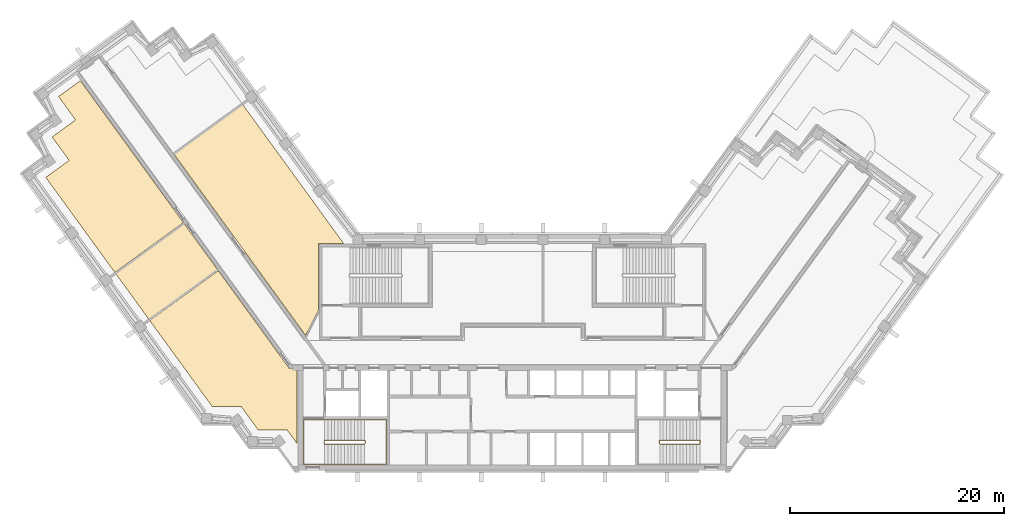
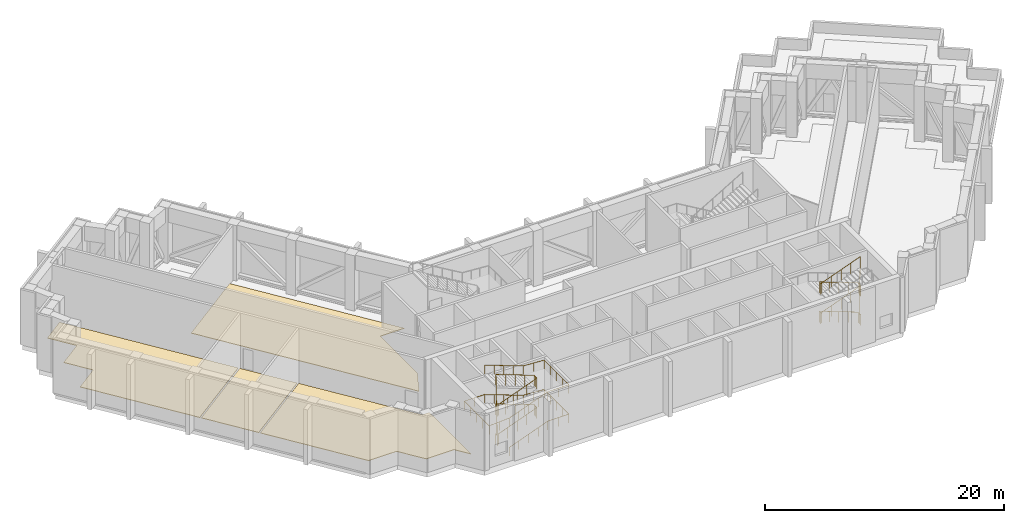
# One storey, part 14 of 16: 4 coverings, 3 railings.
"""IFC4 building model written with IfcOpenShell, lengths in metres."""

from ifc_helpers import new_model, si_unit, direction, frame, origin, origin_2d, place, context, subcontext, project, spatial, polyline, circle, outline, extrude, material, layer, layer_set, type_object, element, save


model = new_model("IFC4")

# Units and contexts
model_context = context("Model", 3, precision=1e-05, world=origin(), true_north=direction((0.0, 1.0)))
body_context = subcontext(model_context, "Body", "Model", "MODEL_VIEW")
ifc_project = project(units=[si_unit("LENGTHUNIT", "METRE"), si_unit("AREAUNIT", "SQUARE_METRE"), si_unit("VOLUMEUNIT", "CUBIC_METRE"), si_unit("PLANEANGLEUNIT", "RADIAN"), si_unit("MASSUNIT", "GRAM", prefix="KILO")], contexts=[model_context])

# Site, building, storey
site_placement = place(None, origin())
site = spatial("IfcSite", under=ifc_project, at=site_placement, CompositionType="ELEMENT")
building_placement = place(site_placement, origin())
building = spatial("IfcBuilding", under=site, at=building_placement, Name="Quipu Civic Tower", CompositionType="ELEMENT")
storey_placement = place(building_placement, frame((0.0, 0.0, 188.0)))
storey = spatial("IfcBuildingStorey", under=building, at=storey_placement, Name="L44", CompositionType="ELEMENT", Elevation=188.0)

# Coverings
ifc_material_1 = material(Name="Sealed cement screed")
ifc_layer = layer(ifc_material_1, 0.050048828125)
ifc_layer_set = layer_set([ifc_layer], Name="Sealed cement screed")
covering_type = type_object("IfcCoveringType", Name="Sealed screed floor finish 50", PredefinedType="FLOORING", material=ifc_layer_set)
covering_1_placement = place(storey_placement, origin())
element("IfcCovering", 1, at=covering_1_placement, inside=storey, type_object=covering_type, Name="Sealed screed floor finish 50", PredefinedType="FLOORING", context=body_context, shape_type="SweptSolid", body=[
    extrude(outline(polyline([(-31.544921875, 18.47802734375), (-25.14599609375, 23.1259765625), (-15.73193359375, 10.169921875), (-18.070068359375, 10.1689453125), (-18.070068359375, 3.94189453125), (-19.27197265625, 1.583984375), (-31.544921875, 18.47802734375)])), origin(), (0.0, 0.0, 1.0), 0.050048828125),
])
covering_2_placement = place(storey_placement, origin())
element("IfcCovering", 2, at=covering_2_placement, inside=storey, type_object=covering_type, Name="Sealed screed floor finish 50", PredefinedType="FLOORING", context=body_context, shape_type="SweptSolid", body=[
    extrude(outline(polyline([(-36.989013671875, 7.341064453125), (-30.590087890625, 11.989990234375), (-27.4990234375, 7.73388671875), (-33.89794921875, 3.0859375), (-36.989013671875, 7.341064453125)])), origin(), (0.0, 0.0, 1.0), 0.050048828125),
])
covering_3_placement = place(storey_placement, origin())
element("IfcCovering", 3, at=covering_3_placement, inside=storey, type_object=covering_type, Name="Sealed screed floor finish 50", PredefinedType="FLOORING", context=body_context, shape_type="SweptSolid", body=[
    extrude(outline(polyline([(-33.81494140625, 2.972900390625), (-27.416015625, 7.62109375), (-20.77490234375, -1.51904296875), (-20.070068359375, -1.52001953125), (-20.070068359375, -8.514892578125), (-20.991943359375, -7.24609375), (-23.69189453125, -7.24609375), (-25.279052734375, -5.06103515625), (-27.97900390625, -5.06103515625), (-33.81494140625, 2.972900390625)])), origin(), (0.0, 0.0, 1.0), 0.050048828125),
])
covering_4_placement = place(storey_placement, origin())
element("IfcCovering", 4, at=covering_4_placement, inside=storey, type_object=covering_type, Name="Sealed screed floor finish 50", PredefinedType="FLOORING", context=body_context, shape_type="SweptSolid", body=[
    extrude(outline(polyline([(-43.51708984375, 16.324951171875), (-41.3330078125, 17.910888671875), (-42.9189453125, 20.095947265625), (-40.736083984375, 21.681884765625), (-42.322021484375, 23.867919921875), (-40.291015625, 25.343017578125), (-30.673095703125, 12.10302734375), (-37.072021484375, 7.4541015625), (-43.51708984375, 16.324951171875)])), origin(), (0.0, 0.0, 1.0), 0.050048828125),
])

# Railings
ifc_material_2 = material(Name="Stainless steel", Category="steel")
railing_type_1 = type_object("IfcRailingType", Name="Stair guard 1100", PredefinedType="GUARDRAIL", material=ifc_material_2)
railing_1_placement = place(storey_placement, frame((-17.5, -8.550048828125, 0.115478515625)))
element("IfcRailing", 5, at=railing_1_placement, inside=storey, type_object=railing_type_1, Name="Stair 1 guard", PredefinedType="GUARDRAIL", context=body_context, shape_type="SweptSolid", body=[
    extrude(circle(Radius=0.02392578125, at=origin_2d()), frame((0.0, 0.0, 1.076171875), z_axis=(0.937193329374, 0.0, 0.348810354458), x_axis=(0.0, 1.0, 0.0)), (0.0, 0.0, 1.0), 3.96923828125),
    extrude(circle(Radius=0.02392578125, at=origin_2d()), frame((3.719970703125, 0.0, 2.46044921875), z_axis=(0.707106781187, 0.707106781187, 0.0), x_axis=(-0.707106781187, 0.707106781187, 0.0)), (0.0, 0.0, 1.0), 0.07080078125),
    extrude(circle(Radius=0.02392578125, at=origin_2d()), frame((3.77001953125, 0.050048828125, 2.46044921875), z_axis=(0.0, 1.0, 0.0), x_axis=(-1.0, 0.0, 0.0)), (0.0, 0.0, 1.0), 0.25),
    extrude(circle(Radius=0.02392578125, at=origin_2d()), frame((3.77001953125, 0.300048828125, 2.46044921875), z_axis=(-0.3695169537, 0.3695169537, 0.852592776099), x_axis=(-0.707106781187, -0.707106781187, 0.0)), (0.0, 0.0, 1.0), 0.135498046875),
    extrude(circle(Radius=0.02392578125, at=origin_2d()), frame((3.719970703125, 0.35009765625, 2.576171875), z_axis=(-0.937193329374, 0.0, 0.348810354458), x_axis=(0.0, -1.0, 0.0)), (0.0, 0.0, 1.0), 3.96923828125),
    extrude(circle(Radius=0.02392578125, at=origin_2d()), frame((0.0, 0.35009765625, 3.96044921875), z_axis=(-0.164529134168, -0.986372223864, 0.0), x_axis=(0.986372223864, -0.164529134168, 0.0)), (0.0, 0.0, 1.0), 0.30419921875),
    extrude(circle(Radius=0.02392578125, at=origin_2d()), frame((-0.050048828125, 0.050048828125, 3.96044921875), z_axis=(0.0, 1.0, 0.0), x_axis=(-1.0, 0.0, 0.0)), (0.0, 0.0, 1.0), 0.25),
    extrude(circle(Radius=0.02392578125, at=origin_2d()), frame((-0.050048828125, 0.300048828125, 3.96044921875), z_axis=(0.153818488509, -0.922160596963, 0.354908024706), x_axis=(0.986372223864, 0.164529134168, 0.0)), (0.0, 0.0, 1.0), 0.325439453125),
    extrude(circle(Radius=0.02392578125, at=origin_2d()), frame((0.0, 0.0, 4.076171875), z_axis=(0.937193329374, 0.0, 0.348810354458), x_axis=(0.0, 1.0, 0.0)), (0.0, 0.0, 1.0), 3.96923828125),
    extrude(circle(Radius=0.02392578125, at=origin_2d()), frame((3.719970703125, 0.0, 5.46044921875), z_axis=(0.707106781187, 0.707106781187, 0.0), x_axis=(-0.707106781187, 0.707106781187, 0.0)), (0.0, 0.0, 1.0), 0.07080078125),
    extrude(circle(Radius=0.02392578125, at=origin_2d()), frame((3.77001953125, 0.050048828125, 5.46044921875), z_axis=(0.0, 1.0, 0.0), x_axis=(-1.0, 0.0, 0.0)), (0.0, 0.0, 1.0), 0.25),
    extrude(circle(Radius=0.02392578125, at=origin_2d()), frame((3.77001953125, 0.300048828125, 5.46044921875), z_axis=(-0.3695169537, 0.3695169537, 0.852592776099), x_axis=(-0.707106781187, -0.707106781187, 0.0)), (0.0, 0.0, 1.0), 0.135498046875),
    extrude(circle(Radius=0.02392578125, at=origin_2d()), frame((3.719970703125, 0.35009765625, 5.576171875), z_axis=(-0.937193329374, 0.0, 0.348810354458), x_axis=(0.0, -1.0, 0.0)), (0.0, 0.0, 1.0), 3.96923828125),
    extrude(circle(Radius=0.02392578125, at=origin_2d()), frame((0.0, 0.35009765625, 6.96044921875), z_axis=(-0.008330771543, -0.049943991347, -0.998717275296), x_axis=(0.986372223864, -0.164529134168, 0.0)), (0.0, 0.0, 1.0), 6.0078125),
    extrude(circle(Radius=0.02392578125, at=origin_2d()), frame((-0.050048828125, 0.050048828125, 0.96044921875), z_axis=(0.0, 1.0, 0.0), x_axis=(-1.0, 0.0, 0.0)), (0.0, 0.0, 1.0), 0.25),
    extrude(circle(Radius=0.02099609375, at=origin_2d()), origin(), (0.0, 0.0, 1.0), 1.052001953125),
    extrude(circle(Radius=0.02099609375, at=origin_2d()), frame((0.929931640625, 0.0, 0.34619140625)), (0.0, 0.0, 1.0), 1.052001953125),
    extrude(circle(Radius=0.02099609375, at=origin_2d()), frame((1.85986328125, 0.0, 0.6923828125)), (0.0, 0.0, 1.0), 1.052001953125),
    extrude(circle(Radius=0.02099609375, at=origin_2d()), frame((2.7900390625, 0.0, 1.038330078125)), (0.0, 0.0, 1.0), 1.052001953125),
    extrude(circle(Radius=0.02099609375, at=origin_2d()), frame((3.719970703125, 0.0, 1.384521484375)), (0.0, 0.0, 1.0), 1.052001953125),
    extrude(circle(Radius=0.02099609375, at=origin_2d()), frame((3.77001953125, 0.050048828125, 1.384521484375)), (0.0, 0.0, 1.0), 1.052001953125),
    extrude(circle(Radius=0.02099609375, at=origin_2d()), frame((3.77001953125, 0.300048828125, 1.384521484375)), (0.0, 0.0, 1.0), 1.052001953125),
    extrude(circle(Radius=0.02099609375, at=origin_2d()), frame((3.719970703125, 0.35009765625, 1.5)), (0.0, 0.0, 1.0), 1.052001953125),
    extrude(circle(Radius=0.02099609375, at=origin_2d()), frame((2.7900390625, 0.35009765625, 1.84619140625)), (0.0, 0.0, 1.0), 1.052001953125),
    extrude(circle(Radius=0.02099609375, at=origin_2d()), frame((1.85986328125, 0.35009765625, 2.1923828125)), (0.0, 0.0, 1.0), 1.052001953125),
    extrude(circle(Radius=0.02099609375, at=origin_2d()), frame((0.929931640625, 0.35009765625, 2.538330078125)), (0.0, 0.0, 1.0), 1.052001953125),
    extrude(circle(Radius=0.02099609375, at=origin_2d()), frame((0.0, 0.35009765625, 2.884521484375)), (0.0, 0.0, 1.0), 1.052001953125),
    extrude(circle(Radius=0.02099609375, at=origin_2d()), frame((-0.050048828125, 0.050048828125, 2.884521484375)), (0.0, 0.0, 1.0), 1.052001953125),
    extrude(circle(Radius=0.02099609375, at=origin_2d()), frame((-0.050048828125, 0.300048828125, 2.884521484375)), (0.0, 0.0, 1.0), 1.052001953125),
    extrude(circle(Radius=0.02099609375, at=origin_2d()), frame((0.0, 0.0, 3.0)), (0.0, 0.0, 1.0), 1.052001953125),
    extrude(circle(Radius=0.02099609375, at=origin_2d()), frame((0.929931640625, 0.0, 3.34619140625)), (0.0, 0.0, 1.0), 1.052001953125),
    extrude(circle(Radius=0.02099609375, at=origin_2d()), frame((1.85986328125, 0.0, 3.6923828125)), (0.0, 0.0, 1.0), 1.052001953125),
    extrude(circle(Radius=0.02099609375, at=origin_2d()), frame((2.7900390625, 0.0, 4.038330078125)), (0.0, 0.0, 1.0), 1.052001953125),
    extrude(circle(Radius=0.02099609375, at=origin_2d()), frame((3.719970703125, 0.0, 4.384521484375)), (0.0, 0.0, 1.0), 1.052001953125),
    extrude(circle(Radius=0.02099609375, at=origin_2d()), frame((3.77001953125, 0.050048828125, 4.384521484375)), (0.0, 0.0, 1.0), 1.052001953125),
    extrude(circle(Radius=0.02099609375, at=origin_2d()), frame((3.77001953125, 0.300048828125, 4.384521484375)), (0.0, 0.0, 1.0), 1.052001953125),
    extrude(circle(Radius=0.02099609375, at=origin_2d()), frame((3.719970703125, 0.35009765625, 4.5)), (0.0, 0.0, 1.0), 1.052001953125),
    extrude(circle(Radius=0.02099609375, at=origin_2d()), frame((2.7900390625, 0.35009765625, 4.84619140625)), (0.0, 0.0, 1.0), 1.052001953125),
    extrude(circle(Radius=0.02099609375, at=origin_2d()), frame((1.85986328125, 0.35009765625, 5.1923828125)), (0.0, 0.0, 1.0), 1.052001953125),
    extrude(circle(Radius=0.02099609375, at=origin_2d()), frame((0.929931640625, 0.35009765625, 5.538330078125)), (0.0, 0.0, 1.0), 1.052001953125),
    extrude(circle(Radius=0.02099609375, at=origin_2d()), frame((0.0, 0.35009765625, 5.884521484375)), (0.0, 0.0, 1.0), 1.052001953125),
    extrude(circle(Radius=0.02099609375, at=origin_2d()), frame((-0.00830078125, 0.300048828125, 4.884521484375)), (0.0, 0.0, 1.0), 1.052001953125),
    extrude(circle(Radius=0.02099609375, at=origin_2d()), frame((-0.0166015625, 0.25, 3.884521484375)), (0.0, 0.0, 1.0), 1.052001953125),
    extrude(circle(Radius=0.02099609375, at=origin_2d()), frame((-0.02490234375, 0.2001953125, 2.884521484375)), (0.0, 0.0, 1.0), 1.052001953125),
    extrude(circle(Radius=0.02099609375, at=origin_2d()), frame((-0.033447265625, 0.150146484375, 1.884521484375)), (0.0, 0.0, 1.0), 1.052001953125),
    extrude(circle(Radius=0.02099609375, at=origin_2d()), frame((-0.041748046875, 0.10009765625, 0.884521484375)), (0.0, 0.0, 1.0), 1.052001953125),
    extrude(circle(Radius=0.02099609375, at=origin_2d()), frame((-0.050048828125, 0.050048828125, -0.115478515625)), (0.0, 0.0, 1.0), 1.052001953125),
    extrude(circle(Radius=0.02099609375, at=origin_2d()), frame((-0.050048828125, 0.300048828125, -0.115478515625)), (0.0, 0.0, 1.0), 1.052001953125),
])
railing_2_placement = place(storey_placement, frame((17.5, -8.199951171875, 0.115478515625)))
element("IfcRailing", 6, at=railing_2_placement, inside=storey, type_object=railing_type_1, Name="Stair 2 guard", PredefinedType="GUARDRAIL", context=body_context, shape_type="SweptSolid", body=[
    extrude(circle(Radius=0.02392578125, at=origin_2d()), frame((0.0, 0.0, 1.076171875), z_axis=(-0.937193329374, 0.0, 0.348810354458), x_axis=(0.0, -1.0, 0.0)), (0.0, 0.0, 1.0), 3.96923828125),
    extrude(circle(Radius=0.02392578125, at=origin_2d()), frame((-3.719970703125, 0.0, 2.46044921875), z_axis=(-0.707106781187, -0.707106781187, 0.0), x_axis=(0.707106781187, -0.707106781187, 0.0)), (0.0, 0.0, 1.0), 0.07080078125),
    extrude(circle(Radius=0.02392578125, at=origin_2d()), frame((-3.77001953125, -0.050048828125, 2.46044921875), z_axis=(0.0, -1.0, 0.0), x_axis=(1.0, 0.0, 0.0)), (0.0, 0.0, 1.0), 0.25),
    extrude(circle(Radius=0.02392578125, at=origin_2d()), frame((-3.77001953125, -0.300048828125, 2.46044921875), z_axis=(0.3695169537, -0.3695169537, 0.852592776099), x_axis=(0.707106781187, 0.707106781187, 0.0)), (0.0, 0.0, 1.0), 0.135498046875),
    extrude(circle(Radius=0.02392578125, at=origin_2d()), frame((-3.719970703125, -0.35009765625, 2.576171875), z_axis=(0.937193329374, 0.0, 0.348810354458), x_axis=(0.0, 1.0, 0.0)), (0.0, 0.0, 1.0), 3.96923828125),
    extrude(circle(Radius=0.02392578125, at=origin_2d()), frame((0.0, -0.35009765625, 3.96044921875), z_axis=(0.164529134168, 0.986372223864, 0.0), x_axis=(-0.986372223864, 0.164529134168, 0.0)), (0.0, 0.0, 1.0), 0.30419921875),
    extrude(circle(Radius=0.02392578125, at=origin_2d()), frame((0.050048828125, -0.050048828125, 3.96044921875), z_axis=(0.0, -1.0, 0.0), x_axis=(1.0, 0.0, 0.0)), (0.0, 0.0, 1.0), 0.25),
    extrude(circle(Radius=0.02392578125, at=origin_2d()), frame((0.050048828125, -0.300048828125, 3.96044921875), z_axis=(-0.153818488509, 0.922160596963, 0.354908024706), x_axis=(-0.986372223864, -0.164529134168, 0.0)), (0.0, 0.0, 1.0), 0.325439453125),
    extrude(circle(Radius=0.02392578125, at=origin_2d()), frame((0.0, 0.0, 4.076171875), z_axis=(-0.937193329374, 0.0, 0.348810354458), x_axis=(0.0, -1.0, 0.0)), (0.0, 0.0, 1.0), 3.96923828125),
    extrude(circle(Radius=0.02392578125, at=origin_2d()), frame((-3.719970703125, 0.0, 5.46044921875), z_axis=(-0.707106781187, -0.707106781187, 0.0), x_axis=(0.707106781187, -0.707106781187, 0.0)), (0.0, 0.0, 1.0), 0.07080078125),
    extrude(circle(Radius=0.02392578125, at=origin_2d()), frame((-3.77001953125, -0.050048828125, 5.46044921875), z_axis=(0.0, -1.0, 0.0), x_axis=(1.0, 0.0, 0.0)), (0.0, 0.0, 1.0), 0.25),
    extrude(circle(Radius=0.02392578125, at=origin_2d()), frame((-3.77001953125, -0.300048828125, 5.46044921875), z_axis=(0.3695169537, -0.3695169537, 0.852592776099), x_axis=(0.707106781187, 0.707106781187, 0.0)), (0.0, 0.0, 1.0), 0.135498046875),
    extrude(circle(Radius=0.02392578125, at=origin_2d()), frame((-3.719970703125, -0.35009765625, 5.576171875), z_axis=(0.937193329374, 0.0, 0.348810354458), x_axis=(0.0, 1.0, 0.0)), (0.0, 0.0, 1.0), 3.96923828125),
    extrude(circle(Radius=0.02392578125, at=origin_2d()), frame((0.0, -0.35009765625, 6.96044921875), z_axis=(0.008330771543, 0.049943991347, -0.998717275296), x_axis=(-0.986372223864, 0.164529134168, 0.0)), (0.0, 0.0, 1.0), 6.0078125),
    extrude(circle(Radius=0.02392578125, at=origin_2d()), frame((0.050048828125, -0.050048828125, 0.96044921875), z_axis=(0.0, -1.0, 0.0), x_axis=(1.0, 0.0, 0.0)), (0.0, 0.0, 1.0), 0.25),
    extrude(circle(Radius=0.02099609375, at=origin_2d()), origin(), (0.0, 0.0, 1.0), 1.052001953125),
    extrude(circle(Radius=0.02099609375, at=origin_2d()), frame((-0.929931640625, 0.0, 0.34619140625)), (0.0, 0.0, 1.0), 1.052001953125),
    extrude(circle(Radius=0.02099609375, at=origin_2d()), frame((-1.85986328125, 0.0, 0.6923828125)), (0.0, 0.0, 1.0), 1.052001953125),
    extrude(circle(Radius=0.02099609375, at=origin_2d()), frame((-2.7900390625, 0.0, 1.038330078125)), (0.0, 0.0, 1.0), 1.052001953125),
    extrude(circle(Radius=0.02099609375, at=origin_2d()), frame((-3.719970703125, 0.0, 1.384521484375)), (0.0, 0.0, 1.0), 1.052001953125),
    extrude(circle(Radius=0.02099609375, at=origin_2d()), frame((-3.77001953125, -0.050048828125, 1.384521484375)), (0.0, 0.0, 1.0), 1.052001953125),
    extrude(circle(Radius=0.02099609375, at=origin_2d()), frame((-3.77001953125, -0.300048828125, 1.384521484375)), (0.0, 0.0, 1.0), 1.052001953125),
    extrude(circle(Radius=0.02099609375, at=origin_2d()), frame((-3.719970703125, -0.35009765625, 1.5)), (0.0, 0.0, 1.0), 1.052001953125),
    extrude(circle(Radius=0.02099609375, at=origin_2d()), frame((-2.7900390625, -0.35009765625, 1.84619140625)), (0.0, 0.0, 1.0), 1.052001953125),
    extrude(circle(Radius=0.02099609375, at=origin_2d()), frame((-1.85986328125, -0.35009765625, 2.1923828125)), (0.0, 0.0, 1.0), 1.052001953125),
    extrude(circle(Radius=0.02099609375, at=origin_2d()), frame((-0.929931640625, -0.35009765625, 2.538330078125)), (0.0, 0.0, 1.0), 1.052001953125),
    extrude(circle(Radius=0.02099609375, at=origin_2d()), frame((0.0, -0.35009765625, 2.884521484375)), (0.0, 0.0, 1.0), 1.052001953125),
    extrude(circle(Radius=0.02099609375, at=origin_2d()), frame((0.050048828125, -0.050048828125, 2.884521484375)), (0.0, 0.0, 1.0), 1.052001953125),
    extrude(circle(Radius=0.02099609375, at=origin_2d()), frame((0.050048828125, -0.300048828125, 2.884521484375)), (0.0, 0.0, 1.0), 1.052001953125),
    extrude(circle(Radius=0.02099609375, at=origin_2d()), frame((0.0, 0.0, 3.0)), (0.0, 0.0, 1.0), 1.052001953125),
    extrude(circle(Radius=0.02099609375, at=origin_2d()), frame((-0.929931640625, 0.0, 3.34619140625)), (0.0, 0.0, 1.0), 1.052001953125),
    extrude(circle(Radius=0.02099609375, at=origin_2d()), frame((-1.85986328125, 0.0, 3.6923828125)), (0.0, 0.0, 1.0), 1.052001953125),
    extrude(circle(Radius=0.02099609375, at=origin_2d()), frame((-2.7900390625, 0.0, 4.038330078125)), (0.0, 0.0, 1.0), 1.052001953125),
    extrude(circle(Radius=0.02099609375, at=origin_2d()), frame((-3.719970703125, 0.0, 4.384521484375)), (0.0, 0.0, 1.0), 1.052001953125),
    extrude(circle(Radius=0.02099609375, at=origin_2d()), frame((-3.77001953125, -0.050048828125, 4.384521484375)), (0.0, 0.0, 1.0), 1.052001953125),
    extrude(circle(Radius=0.02099609375, at=origin_2d()), frame((-3.77001953125, -0.300048828125, 4.384521484375)), (0.0, 0.0, 1.0), 1.052001953125),
    extrude(circle(Radius=0.02099609375, at=origin_2d()), frame((-3.719970703125, -0.35009765625, 4.5)), (0.0, 0.0, 1.0), 1.052001953125),
    extrude(circle(Radius=0.02099609375, at=origin_2d()), frame((-2.7900390625, -0.35009765625, 4.84619140625)), (0.0, 0.0, 1.0), 1.052001953125),
    extrude(circle(Radius=0.02099609375, at=origin_2d()), frame((-1.85986328125, -0.35009765625, 5.1923828125)), (0.0, 0.0, 1.0), 1.052001953125),
    extrude(circle(Radius=0.02099609375, at=origin_2d()), frame((-0.929931640625, -0.35009765625, 5.538330078125)), (0.0, 0.0, 1.0), 1.052001953125),
    extrude(circle(Radius=0.02099609375, at=origin_2d()), frame((0.0, -0.35009765625, 5.884521484375)), (0.0, 0.0, 1.0), 1.052001953125),
    extrude(circle(Radius=0.02099609375, at=origin_2d()), frame((0.00830078125, -0.300048828125, 4.884521484375)), (0.0, 0.0, 1.0), 1.052001953125),
    extrude(circle(Radius=0.02099609375, at=origin_2d()), frame((0.0166015625, -0.25, 3.884521484375)), (0.0, 0.0, 1.0), 1.052001953125),
    extrude(circle(Radius=0.02099609375, at=origin_2d()), frame((0.02490234375, -0.2001953125, 2.884521484375)), (0.0, 0.0, 1.0), 1.052001953125),
    extrude(circle(Radius=0.02099609375, at=origin_2d()), frame((0.033447265625, -0.150146484375, 1.884521484375)), (0.0, 0.0, 1.0), 1.052001953125),
    extrude(circle(Radius=0.02099609375, at=origin_2d()), frame((0.041748046875, -0.10009765625, 0.884521484375)), (0.0, 0.0, 1.0), 1.052001953125),
    extrude(circle(Radius=0.02099609375, at=origin_2d()), frame((0.050048828125, -0.050048828125, -0.115478515625)), (0.0, 0.0, 1.0), 1.052001953125),
    extrude(circle(Radius=0.02099609375, at=origin_2d()), frame((0.050048828125, -0.300048828125, -0.115478515625)), (0.0, 0.0, 1.0), 1.052001953125),
])
ifc_material_3 = material(Name="Stainless steel", Category="steel")
railing_type_2 = type_object("IfcRailingType", Name="Stair handrail", PredefinedType="HANDRAIL", material=ifc_material_3)
railing_3_placement = place(storey_placement, frame((-17.5, -10.449951171875, 0.115478515625)))
element("IfcRailing", 7, at=railing_3_placement, inside=storey, type_object=railing_type_2, Name="Stair 1 handrail", PredefinedType="HANDRAIL", context=body_context, shape_type="SweptSolid", body=[
    extrude(circle(Radius=0.02392578125, at=origin_2d()), frame((0.0, 0.0, 0.8759765625), z_axis=(0.937193329374, 0.0, 0.348810354458), x_axis=(0.0, 1.0, 0.0)), (0.0, 0.0, 1.0), 3.96923828125),
    extrude(circle(Radius=0.02392578125, at=origin_2d()), frame((3.719970703125, 0.0, 2.26025390625), z_axis=(1.0, 0.0, 0.0), x_axis=(0.0, 1.0, 0.0)), (0.0, 0.0, 1.0), 2.030029296875),
    extrude(circle(Radius=0.02392578125, at=origin_2d()), frame((5.75, 0.0, 2.26025390625), z_axis=(0.0, 1.0, 0.0), x_axis=(-1.0, 0.0, 0.0)), (0.0, 0.0, 1.0), 4.14990234375),
    extrude(circle(Radius=0.02392578125, at=origin_2d()), frame((5.75, 4.14990234375, 2.26025390625), z_axis=(-0.99838595614, 0.0, 0.056793332201), x_axis=(0.0, -1.0, 0.0)), (0.0, 0.0, 1.0), 2.033203125),
    extrude(circle(Radius=0.02392578125, at=origin_2d()), frame((3.719970703125, 4.14990234375, 2.3759765625), z_axis=(-0.937193329374, 0.0, 0.348810354458), x_axis=(0.0, -1.0, 0.0)), (0.0, 0.0, 1.0), 3.96923828125),
    extrude(circle(Radius=0.02392578125, at=origin_2d()), frame((0.0, 4.14990234375, 3.76025390625), z_axis=(-1.0, 0.0, 0.0), x_axis=(0.0, -1.0, 0.0)), (0.0, 0.0, 1.0), 1.949951171875),
    extrude(circle(Radius=0.02392578125, at=origin_2d()), frame((-1.949951171875, 4.14990234375, 3.76025390625), z_axis=(0.0, -1.0, 0.0), x_axis=(1.0, 0.0, 0.0)), (0.0, 0.0, 1.0), 4.14990234375),
    extrude(circle(Radius=0.02392578125, at=origin_2d()), frame((-1.949951171875, 0.0, 3.76025390625), z_axis=(0.998251021802, 0.0, 0.059117657858), x_axis=(0.0, 1.0, 0.0)), (0.0, 0.0, 1.0), 1.953369140625),
    extrude(circle(Radius=0.02392578125, at=origin_2d()), frame((0.0, 0.0, 3.8759765625), z_axis=(0.937193329374, 0.0, 0.348810354458), x_axis=(0.0, 1.0, 0.0)), (0.0, 0.0, 1.0), 3.96923828125),
    extrude(circle(Radius=0.02392578125, at=origin_2d()), frame((3.719970703125, 0.0, 5.26025390625), z_axis=(1.0, 0.0, 0.0), x_axis=(0.0, 1.0, 0.0)), (0.0, 0.0, 1.0), 2.030029296875),
    extrude(circle(Radius=0.02392578125, at=origin_2d()), frame((5.75, 0.0, 5.26025390625), z_axis=(0.0, 1.0, 0.0), x_axis=(-1.0, 0.0, 0.0)), (0.0, 0.0, 1.0), 4.14990234375),
    extrude(circle(Radius=0.02392578125, at=origin_2d()), frame((5.75, 4.14990234375, 5.26025390625), z_axis=(-0.99838595614, 0.0, 0.056793332201), x_axis=(0.0, -1.0, 0.0)), (0.0, 0.0, 1.0), 2.033203125),
    extrude(circle(Radius=0.02392578125, at=origin_2d()), frame((3.719970703125, 4.14990234375, 5.3759765625), z_axis=(-0.937193329374, 0.0, 0.348810354458), x_axis=(0.0, -1.0, 0.0)), (0.0, 0.0, 1.0), 3.96923828125),
    extrude(circle(Radius=0.02099609375, at=origin_2d()), origin(), (0.0, 0.0, 1.0), 0.851806640625),
    extrude(circle(Radius=0.02099609375, at=origin_2d()), frame((0.929931640625, 0.0, 0.34619140625)), (0.0, 0.0, 1.0), 0.851806640625),
    extrude(circle(Radius=0.02099609375, at=origin_2d()), frame((1.85986328125, 0.0, 0.6923828125)), (0.0, 0.0, 1.0), 0.851806640625),
    extrude(circle(Radius=0.02099609375, at=origin_2d()), frame((2.7900390625, 0.0, 1.038330078125)), (0.0, 0.0, 1.0), 0.851806640625),
    extrude(circle(Radius=0.02099609375, at=origin_2d()), frame((3.719970703125, 0.0, 1.384521484375)), (0.0, 0.0, 1.0), 0.851806640625),
    extrude(circle(Radius=0.02099609375, at=origin_2d()), frame((4.73486328125, 0.0, 1.384521484375)), (0.0, 0.0, 1.0), 0.851806640625),
    extrude(circle(Radius=0.02099609375, at=origin_2d()), frame((5.75, 0.0, 1.384521484375)), (0.0, 0.0, 1.0), 0.851806640625),
    extrude(circle(Radius=0.02099609375, at=origin_2d()), frame((5.75, 1.03759765625, 1.384521484375)), (0.0, 0.0, 1.0), 0.851806640625),
    extrude(circle(Radius=0.02099609375, at=origin_2d()), frame((5.75, 2.074951171875, 1.384521484375)), (0.0, 0.0, 1.0), 0.851806640625),
    extrude(circle(Radius=0.02099609375, at=origin_2d()), frame((5.75, 3.1123046875, 1.384521484375)), (0.0, 0.0, 1.0), 0.851806640625),
    extrude(circle(Radius=0.02099609375, at=origin_2d()), frame((5.75, 4.14990234375, 1.384521484375)), (0.0, 0.0, 1.0), 0.851806640625),
    extrude(circle(Radius=0.02099609375, at=origin_2d()), frame((4.73486328125, 4.14990234375, 1.4423828125)), (0.0, 0.0, 1.0), 0.851806640625),
    extrude(circle(Radius=0.02099609375, at=origin_2d()), frame((3.719970703125, 4.14990234375, 1.5)), (0.0, 0.0, 1.0), 0.851806640625),
    extrude(circle(Radius=0.02099609375, at=origin_2d()), frame((2.7900390625, 4.14990234375, 1.84619140625)), (0.0, 0.0, 1.0), 0.851806640625),
    extrude(circle(Radius=0.02099609375, at=origin_2d()), frame((1.85986328125, 4.14990234375, 2.1923828125)), (0.0, 0.0, 1.0), 0.851806640625),
    extrude(circle(Radius=0.02099609375, at=origin_2d()), frame((0.929931640625, 4.14990234375, 2.538330078125)), (0.0, 0.0, 1.0), 0.851806640625),
    extrude(circle(Radius=0.02099609375, at=origin_2d()), frame((0.0, 4.14990234375, 2.884521484375)), (0.0, 0.0, 1.0), 0.851806640625),
    extrude(circle(Radius=0.02099609375, at=origin_2d()), frame((-0.97509765625, 4.14990234375, 2.884521484375)), (0.0, 0.0, 1.0), 0.851806640625),
    extrude(circle(Radius=0.02099609375, at=origin_2d()), frame((-1.949951171875, 4.14990234375, 2.884521484375)), (0.0, 0.0, 1.0), 0.851806640625),
    extrude(circle(Radius=0.02099609375, at=origin_2d()), frame((-1.949951171875, 3.1123046875, 2.884521484375)), (0.0, 0.0, 1.0), 0.851806640625),
    extrude(circle(Radius=0.02099609375, at=origin_2d()), frame((-1.949951171875, 2.074951171875, 2.884521484375)), (0.0, 0.0, 1.0), 0.851806640625),
    extrude(circle(Radius=0.02099609375, at=origin_2d()), frame((-1.949951171875, 1.03759765625, 2.884521484375)), (0.0, 0.0, 1.0), 0.851806640625),
    extrude(circle(Radius=0.02099609375, at=origin_2d()), frame((-1.949951171875, 0.0, 2.884521484375)), (0.0, 0.0, 1.0), 0.851806640625),
    extrude(circle(Radius=0.02099609375, at=origin_2d()), frame((-0.97509765625, 0.0, 2.9423828125)), (0.0, 0.0, 1.0), 0.851806640625),
    extrude(circle(Radius=0.02099609375, at=origin_2d()), frame((0.0, 0.0, 3.0)), (0.0, 0.0, 1.0), 0.851806640625),
    extrude(circle(Radius=0.02099609375, at=origin_2d()), frame((0.929931640625, 0.0, 3.34619140625)), (0.0, 0.0, 1.0), 0.851806640625),
    extrude(circle(Radius=0.02099609375, at=origin_2d()), frame((1.85986328125, 0.0, 3.6923828125)), (0.0, 0.0, 1.0), 0.851806640625),
    extrude(circle(Radius=0.02099609375, at=origin_2d()), frame((2.7900390625, 0.0, 4.038330078125)), (0.0, 0.0, 1.0), 0.851806640625),
    extrude(circle(Radius=0.02099609375, at=origin_2d()), frame((3.719970703125, 0.0, 4.384521484375)), (0.0, 0.0, 1.0), 0.851806640625),
    extrude(circle(Radius=0.02099609375, at=origin_2d()), frame((4.73486328125, 0.0, 4.384521484375)), (0.0, 0.0, 1.0), 0.851806640625),
    extrude(circle(Radius=0.02099609375, at=origin_2d()), frame((5.75, 0.0, 4.384521484375)), (0.0, 0.0, 1.0), 0.851806640625),
    extrude(circle(Radius=0.02099609375, at=origin_2d()), frame((5.75, 1.03759765625, 4.384521484375)), (0.0, 0.0, 1.0), 0.851806640625),
    extrude(circle(Radius=0.02099609375, at=origin_2d()), frame((5.75, 2.074951171875, 4.384521484375)), (0.0, 0.0, 1.0), 0.851806640625),
    extrude(circle(Radius=0.02099609375, at=origin_2d()), frame((5.75, 3.1123046875, 4.384521484375)), (0.0, 0.0, 1.0), 0.851806640625),
    extrude(circle(Radius=0.02099609375, at=origin_2d()), frame((5.75, 4.14990234375, 4.384521484375)), (0.0, 0.0, 1.0), 0.851806640625),
    extrude(circle(Radius=0.02099609375, at=origin_2d()), frame((4.73486328125, 4.14990234375, 4.4423828125)), (0.0, 0.0, 1.0), 0.851806640625),
    extrude(circle(Radius=0.02099609375, at=origin_2d()), frame((3.719970703125, 4.14990234375, 4.5)), (0.0, 0.0, 1.0), 0.851806640625),
    extrude(circle(Radius=0.02099609375, at=origin_2d()), frame((2.7900390625, 4.14990234375, 4.84619140625)), (0.0, 0.0, 1.0), 0.851806640625),
    extrude(circle(Radius=0.02099609375, at=origin_2d()), frame((1.85986328125, 4.14990234375, 5.1923828125)), (0.0, 0.0, 1.0), 0.851806640625),
    extrude(circle(Radius=0.02099609375, at=origin_2d()), frame((0.929931640625, 4.14990234375, 5.538330078125)), (0.0, 0.0, 1.0), 0.851806640625),
    extrude(circle(Radius=0.02099609375, at=origin_2d()), frame((0.0, 4.14990234375, 5.884521484375)), (0.0, 0.0, 1.0), 0.851806640625),
])

save(model, "model.ifc")
